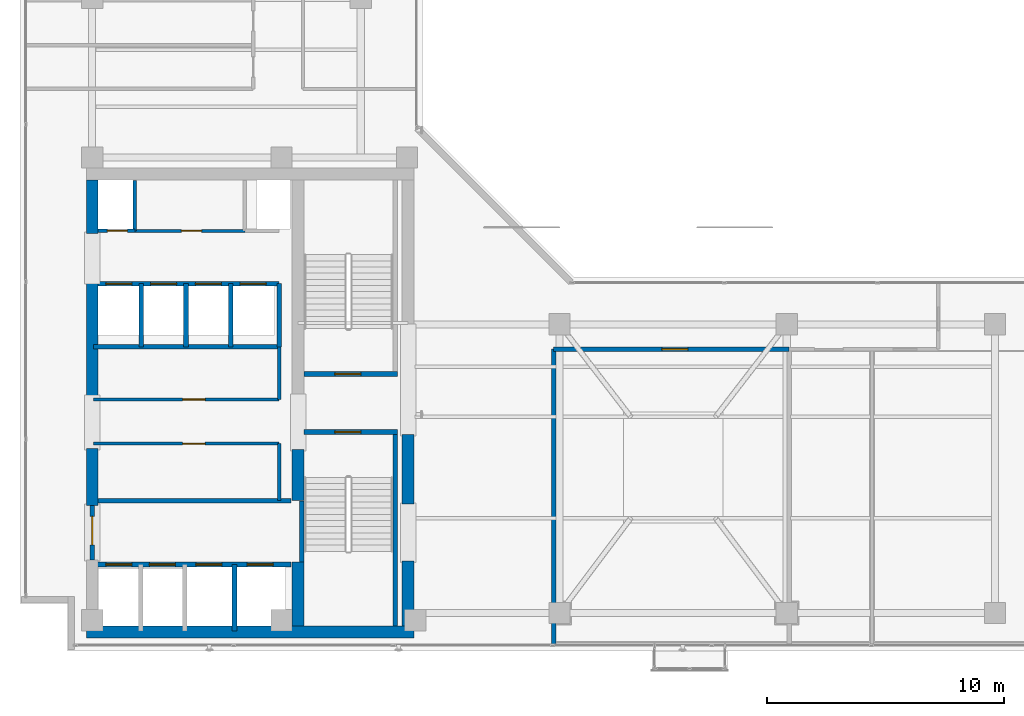
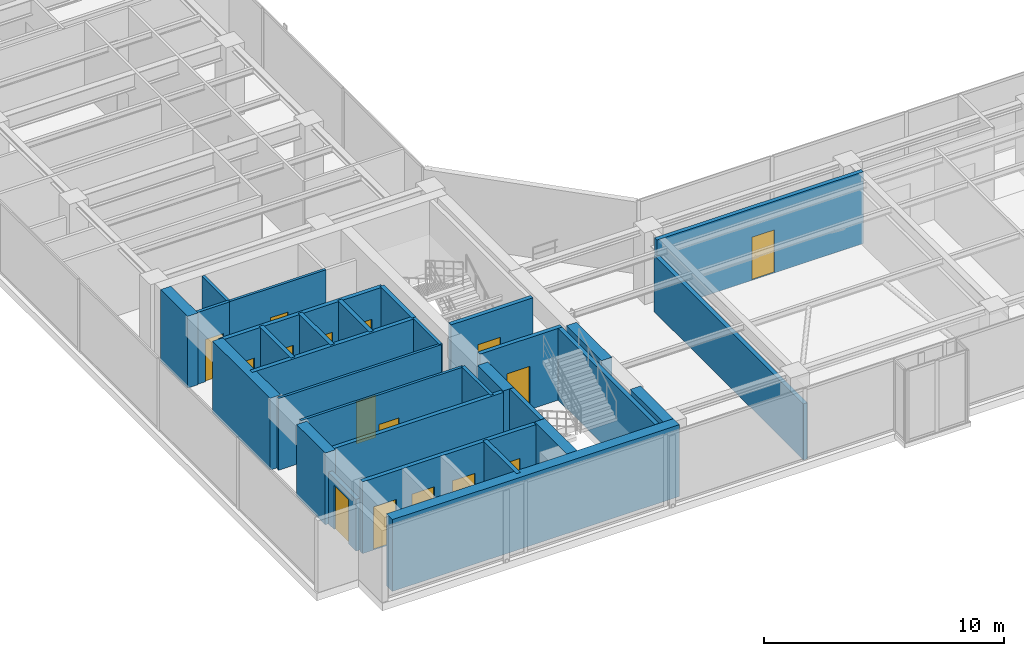
# One storey, part 24 of 31: 31 walls, 16 doors, 16 openings.
"""IFC4 building model written with IfcOpenShell, lengths in metres."""

from ifc_helpers import new_model, si_unit, direction, frame, frame_2d, origin, place, context, subcontext, project, spatial, rectangle, extrude, material, layer, layer_set, type_object, element, fill, save


model = new_model("IFC4")

# Units and contexts
model_context = context("Model", 3, precision=1e-05, world=origin(), true_north=direction((0.0, 1.0)))
body_context = subcontext(model_context, "Body", "Model", "MODEL_VIEW")
ifc_project = project(units=[si_unit("LENGTHUNIT", "METRE"), si_unit("AREAUNIT", "SQUARE_METRE"), si_unit("VOLUMEUNIT", "CUBIC_METRE"), si_unit("PLANEANGLEUNIT", "RADIAN"), si_unit("MASSUNIT", "GRAM", prefix="KILO")], contexts=[model_context])

# Site, building, storey
site_placement = place(None, origin())
site = spatial("IfcSite", under=ifc_project, at=site_placement, CompositionType="ELEMENT")
building_placement = place(site_placement, origin())
building = spatial("IfcBuilding", under=site, at=building_placement, Name="Kolvaren Waterfront Exchange", CompositionType="ELEMENT")
storey_placement = place(building_placement, frame((0.0, 0.0, 344.199951171875)))
storey = spatial("IfcBuildingStorey", under=building, at=storey_placement, Name="L88", CompositionType="ELEMENT", Elevation=344.199951171875)

# Wall, opening, door
ifc_material_1 = material(Name="Precast concrete C40/50", Category="concrete")
ifc_layer_1 = layer(ifc_material_1, 0.199951171875, Name="Precast concrete C40/50")
ifc_layer_set_1 = layer_set([ifc_layer_1], Name="Precast concrete C40/50")
wall_type_1 = type_object("IfcWallType", Name="ARC-FIRE-200", PredefinedType="PARTITIONING", material=ifc_layer_set_1)
wall_1_placement = place(storey_placement, frame((16.39990234375, 12.85009765625, 0.0), z_axis=(0.0, 0.0, 1.0), x_axis=(1.0, 0.0, 0.0)))
wall_1 = element("IfcWall", 1, at=wall_1_placement, inside=storey, type_object=wall_type_1, Name="L88 interior wall PW-L88-ST1-THROAT-S", PredefinedType="PARTITIONING", context=body_context, shape_type="SweptSolid", body=[
    extrude(rectangle(XDim=3.960205078125, YDim=0.199951171875, at=frame_2d((1.97998046875, 0.0))), origin(), (0.0, 0.0, 1.0), 3.66015625),
])
opening_1_placement = place(wall_1_placement, frame((1.3037109375, 0.0, 0.0)))
opening_1 = element("IfcOpeningElement", 2, at=opening_1_placement, cuts=wall_1, Name="Opening FD2", PredefinedType="OPENING", context=body_context, shape_type="SweptSolid", body=[
    extrude(rectangle(XDim=1.10009765625, YDim=2.199951171875, at=frame_2d((0.550048828125, 1.10009765625))), frame((0.0, 0.10986328125, 0.0), z_axis=(0.0, -1.0, 0.0), x_axis=(1.0, 0.0, 0.0)), (0.0, 0.0, 1.0), 0.219970703125),
])
ifc_material_2 = material(Name="Pressed steel smoke-seal fire door", Category="steel")
door_type_1 = type_object("IfcDoorType", Name="ARC-FD-1100", OperationType="NOTDEFINED", PredefinedType="DOOR", material=ifc_material_2)
door_1_placement = place(opening_1_placement, frame((1.10009765625, 0.0, 0.0), z_axis=(0.0, 0.0, 1.0), x_axis=(-1.0, 0.0, 0.0)))
door_1 = element("IfcDoor", 3, at=door_1_placement, inside=storey, type_object=door_type_1, Name="L88 door DR-L88-ST1-IN (FD2)", OperationType="SINGLE_SWING_LEFT", OverallHeight=2.199951171875, OverallWidth=1.10009765625, PredefinedType="DOOR", context=body_context, shape_type="SweptSolid", body=[
    extrude(rectangle(XDim=1.10009765625, YDim=2.199951171875, at=frame_2d((0.550048828125, 1.10009765625))), frame((0.0, 0.02490234375, 0.0), z_axis=(0.0, -1.0, 0.0), x_axis=(1.0, 0.0, 0.0)), (0.0, 0.0, 1.0), 0.050048828125),
])
fill(opening_1, door_1)

wall_2_placement = place(storey_placement, frame((16.409912109375, 15.300048828125, 0.0), z_axis=(0.0, 0.0, 1.0), x_axis=(1.0, 0.0, 0.0)))
wall_2 = element("IfcWall", 4, at=wall_2_placement, inside=storey, type_object=wall_type_1, Name="L88 interior wall PW-L88-ST2-THROAT-N", PredefinedType="PARTITIONING", context=body_context, shape_type="SweptSolid", body=[
    extrude(rectangle(XDim=3.9501953125, YDim=0.199951171875, at=frame_2d((1.97509765625, 0.0))), origin(), (0.0, 0.0, 1.0), 3.66015625),
])
opening_2_placement = place(wall_2_placement, frame((1.293701171875, 0.0, 0.0)))
opening_2 = element("IfcOpeningElement", 5, at=opening_2_placement, cuts=wall_2, Name="Opening FD2", PredefinedType="OPENING", context=body_context, shape_type="SweptSolid", body=[
    extrude(rectangle(XDim=1.10009765625, YDim=2.199951171875, at=frame_2d((0.550048828125, 1.10009765625))), frame((0.0, 0.10986328125, 0.0), z_axis=(0.0, -1.0, 0.0), x_axis=(1.0, 0.0, 0.0)), (0.0, 0.0, 1.0), 0.219970703125),
])
door_2_placement = place(opening_2_placement, origin())
door_2 = element("IfcDoor", 6, at=door_2_placement, inside=storey, type_object=door_type_1, Name="L88 door DR-L88-ST2-IN (FD2)", OperationType="SINGLE_SWING_RIGHT", OverallHeight=2.199951171875, OverallWidth=1.10009765625, PredefinedType="DOOR", context=body_context, shape_type="SweptSolid", body=[
    extrude(rectangle(XDim=1.10009765625, YDim=2.199951171875, at=frame_2d((0.550048828125, 1.10009765625))), frame((0.0, 0.02490234375, 0.0), z_axis=(0.0, -1.0, 0.0), x_axis=(1.0, 0.0, 0.0)), (0.0, 0.0, 1.0), 0.050048828125),
])
fill(opening_2, door_2)

# Wall
wall_3_placement = place(storey_placement, frame((7.5, 9.949951171875, 0.0), z_axis=(0.0, 0.0, 1.0), x_axis=(1.0, 0.0, 0.0)))
element("IfcWall", 7, at=wall_3_placement, inside=storey, type_object=wall_type_1, Name="L88 interior wall PW-L88-FF-N", PredefinedType="PARTITIONING", context=body_context, shape_type="SweptSolid", body=[
    extrude(rectangle(XDim=8.35009765625, YDim=0.199951171875, at=frame_2d((4.175048828125, 0.0))), origin(), (0.0, 0.0, 1.0), 3.66015625),
])

# Wall, opening, door
wall_4_placement = place(storey_placement, frame((7.449951171875, 7.449951171875, 0.0), z_axis=(0.0, 0.0, 1.0), x_axis=(0.0, 1.0, 0.0)))
wall_4 = element("IfcWall", 8, at=wall_4_placement, inside=storey, type_object=wall_type_1, Name="L88 interior wall PW-L88-FF-W-DOOR", PredefinedType="PARTITIONING", context=body_context, shape_type="SweptSolid", body=[
    extrude(rectangle(XDim=2.300048828125, YDim=0.199951171875, at=frame_2d((1.14990234375, 0.0))), origin(), (0.0, 0.0, 1.0), 2.64013671875),
])
opening_3_placement = place(wall_4_placement, frame((0.63330078125, 0.0, 0.0)))
opening_3 = element("IfcOpeningElement", 9, at=opening_3_placement, cuts=wall_4, Name="Opening FD3", PredefinedType="OPENING", context=body_context, shape_type="SweptSolid", body=[
    extrude(rectangle(XDim=1.199951171875, YDim=2.25, at=frame_2d((0.60009765625, 1.125))), frame((0.0, 0.10986328125, 0.0), z_axis=(0.0, -1.0, 0.0), x_axis=(1.0, 0.0, 0.0)), (0.0, 0.0, 1.0), 0.219970703125),
])
ifc_material_3 = material(Name="Pressed steel fire door", Category="steel")
door_type_2 = type_object("IfcDoorType", Name="ARC-FD-1200", OperationType="NOTDEFINED", PredefinedType="DOOR", material=ifc_material_3)
door_3_placement = place(opening_3_placement, frame((1.199951171875, 0.0, 0.0), z_axis=(0.0, 0.0, 1.0), x_axis=(-1.0, 0.0, 0.0)))
door_3 = element("IfcDoor", 10, at=door_3_placement, inside=storey, type_object=door_type_2, Name="L88 door DR-L88-FF-OUT (FD3)", OperationType="SINGLE_SWING_LEFT", OverallHeight=2.25, OverallWidth=1.199951171875, PredefinedType="DOOR", context=body_context, shape_type="SweptSolid", body=[
    extrude(rectangle(XDim=1.199951171875, YDim=2.25, at=frame_2d((0.60009765625, 1.125))), frame((0.0, 0.02490234375, 0.0), z_axis=(0.0, -1.0, 0.0), x_axis=(1.0, 0.0, 0.0)), (0.0, 0.0, 1.0), 0.050048828125),
])
fill(opening_3, door_3)

# Wall
wall_5_placement = place(storey_placement, frame((26.949951171875, 3.85009765625, 0.0), z_axis=(0.0, 0.0, 1.0), x_axis=(0.0, 1.0, 0.0)))
element("IfcWall", 11, at=wall_5_placement, inside=storey, type_object=wall_type_1, Name="L88 interior wall PW-L88-TMD-W", PredefinedType="PARTITIONING", context=body_context, shape_type="SweptSolid", body=[
    extrude(rectangle(XDim=12.5, YDim=0.199951171875, at=frame_2d((6.25, 0.0))), origin(), (0.0, 0.0, 1.0), 2.860107421875),
])

# Wall, opening, door
wall_6_placement = place(storey_placement, frame((26.949951171875, 16.35009765625, 0.0), z_axis=(0.0, 0.0, 1.0), x_axis=(1.0, 0.0, 0.0)))
wall_6 = element("IfcWall", 12, at=wall_6_placement, inside=storey, type_object=wall_type_1, Name="L88 interior wall PW-L88-TMD-N", PredefinedType="PARTITIONING", context=body_context, shape_type="SweptSolid", body=[
    extrude(rectangle(XDim=9.949951171875, YDim=0.199951171875, at=frame_2d((4.97509765625, 0.0))), origin(), (0.0, 0.0, 1.0), 3.66015625),
])
opening_4_placement = place(wall_6_placement, frame((4.570068359375, 0.0, 0.0)))
opening_4 = element("IfcOpeningElement", 13, at=opening_4_placement, cuts=wall_6, Name="Opening FD2", PredefinedType="OPENING", context=body_context, shape_type="SweptSolid", body=[
    extrude(rectangle(XDim=1.10009765625, YDim=2.199951171875, at=frame_2d((0.550048828125, 1.10009765625))), frame((0.0, 0.10986328125, 0.0), z_axis=(0.0, -1.0, 0.0), x_axis=(1.0, 0.0, 0.0)), (0.0, 0.0, 1.0), 0.219970703125),
])
door_4_placement = place(opening_4_placement, origin())
door_4 = element("IfcDoor", 14, at=door_4_placement, inside=storey, type_object=door_type_1, Name="L88 door DR-L88-TMD-D (FD2)", OperationType="SINGLE_SWING_RIGHT", OverallHeight=2.199951171875, OverallWidth=1.10009765625, PredefinedType="DOOR", context=body_context, shape_type="SweptSolid", body=[
    extrude(rectangle(XDim=1.10009765625, YDim=2.199951171875, at=frame_2d((0.550048828125, 1.10009765625))), frame((0.0, 0.02490234375, 0.0), z_axis=(0.0, -1.0, 0.0), x_axis=(1.0, 0.0, 0.0)), (0.0, 0.0, 1.0), 0.050048828125),
])
fill(opening_4, door_4)

ifc_material_4 = material(Name="Acoustic gypsum steel stud", Category="steel")
ifc_layer_2 = layer(ifc_material_4, 0.125, Name="Acoustic gypsum steel stud")
ifc_layer_set_2 = layer_set([ifc_layer_2], Name="Acoustic gypsum steel stud")
wall_type_2 = type_object("IfcWallType", Name="ARC-PART-125", PredefinedType="PARTITIONING", material=ifc_layer_set_2)
wall_7_placement = place(storey_placement, frame((7.5, 12.360107421875, 0.0), z_axis=(0.0, 0.0, 1.0), x_axis=(1.0, 0.0, 0.0)))
wall_7 = element("IfcWall", 15, at=wall_7_placement, inside=storey, type_object=wall_type_2, Name="L88 interior wall PW-L88-REC-HI-S", PredefinedType="PARTITIONING", context=body_context, shape_type="SweptSolid", body=[
    extrude(rectangle(XDim=7.85009765625, YDim=0.125, at=frame_2d((3.925048828125, 0.0))), origin(), (0.0, 0.0, 1.0), 3.66015625),
])
opening_5_placement = place(wall_7_placement, frame((3.77490234375, 0.0, 0.0)))
opening_5 = element("IfcOpeningElement", 16, at=opening_5_placement, cuts=wall_7, Name="Opening D02", PredefinedType="OPENING", context=body_context, shape_type="SweptSolid", body=[
    extrude(rectangle(XDim=0.949951171875, YDim=2.14990234375, at=frame_2d((0.47509765625, 1.074951171875))), frame((0.0, 0.072509765625, 0.0), z_axis=(0.0, -1.0, 0.0), x_axis=(1.0, 0.0, 0.0)), (0.0, 0.0, 1.0), 0.14501953125),
])
ifc_material_5 = material(Name="Oak veneer acoustic timber", Category="wood")
door_type_3 = type_object("IfcDoorType", Name="ARC-DR-950", OperationType="NOTDEFINED", PredefinedType="DOOR", material=ifc_material_5)
door_5_placement = place(opening_5_placement, origin())
door_5 = element("IfcDoor", 17, at=door_5_placement, inside=storey, type_object=door_type_3, Name="L88 door DR-L88-REC-HI-D1 (D02)", OperationType="SINGLE_SWING_RIGHT", OverallHeight=2.14990234375, OverallWidth=0.949951171875, PredefinedType="DOOR", context=body_context, shape_type="SweptSolid", body=[
    extrude(rectangle(XDim=0.949951171875, YDim=2.14990234375, at=frame_2d((0.47509765625, 1.074951171875))), frame((0.0, 0.02490234375, 0.0), z_axis=(0.0, -1.0, 0.0), x_axis=(1.0, 0.0, 0.0)), (0.0, 0.0, 1.0), 0.050048828125),
])
fill(opening_5, door_5)

wall_8_placement = place(storey_placement, frame((7.5, 14.219970703125, 0.0), z_axis=(0.0, 0.0, 1.0), x_axis=(1.0, 0.0, 0.0)))
wall_8 = element("IfcWall", 18, at=wall_8_placement, inside=storey, type_object=wall_type_2, Name="L88 interior wall PW-L88-REC-HI-N", PredefinedType="PARTITIONING", context=body_context, shape_type="SweptSolid", body=[
    extrude(rectangle(XDim=7.85009765625, YDim=0.125, at=frame_2d((3.925048828125, 0.0))), origin(), (0.0, 0.0, 1.0), 3.66015625),
])
opening_6_placement = place(wall_8_placement, frame((3.77490234375, 0.0, 0.0)))
opening_6 = element("IfcOpeningElement", 19, at=opening_6_placement, cuts=wall_8, Name="Opening D02", PredefinedType="OPENING", context=body_context, shape_type="SweptSolid", body=[
    extrude(rectangle(XDim=0.949951171875, YDim=2.14990234375, at=frame_2d((0.47509765625, 1.074951171875))), frame((0.0, 0.072509765625, 0.0), z_axis=(0.0, -1.0, 0.0), x_axis=(1.0, 0.0, 0.0)), (0.0, 0.0, 1.0), 0.14501953125),
])
door_6_placement = place(opening_6_placement, origin())
door_6 = element("IfcDoor", 20, at=door_6_placement, inside=storey, type_object=door_type_3, Name="L88 door DR-L88-REC-HI-D2 (D02)", OperationType="SINGLE_SWING_LEFT", OverallHeight=2.14990234375, OverallWidth=0.949951171875, PredefinedType="DOOR", context=body_context, shape_type="SweptSolid", body=[
    extrude(rectangle(XDim=0.949951171875, YDim=2.14990234375, at=frame_2d((0.47509765625, 1.074951171875))), frame((0.0, 0.02490234375, 0.0), z_axis=(0.0, -1.0, 0.0), x_axis=(1.0, 0.0, 0.0)), (0.0, 0.0, 1.0), 0.050048828125),
])
fill(opening_6, door_6)

wall_9_placement = place(storey_placement, frame((9.25, 21.35009765625, 0.0), z_axis=(0.0, 0.0, 1.0), x_axis=(1.0, 0.0, 0.0)))
wall_9 = element("IfcWall", 21, at=wall_9_placement, inside=storey, type_object=wall_type_2, Name="L88 interior wall PW-L88-SVC-HI-S", PredefinedType="PARTITIONING", context=body_context, shape_type="SweptSolid", body=[
    extrude(rectangle(XDim=4.64990234375, YDim=0.125, at=frame_2d((2.324951171875, 0.0))), origin(), (0.0, 0.0, 1.0), 3.66015625),
])
opening_7_placement = place(wall_9_placement, frame((1.971435546875, 0.0, 0.0)))
opening_7 = element("IfcOpeningElement", 22, at=opening_7_placement, cuts=wall_9, Name="Opening D01", PredefinedType="OPENING", context=body_context, shape_type="SweptSolid", body=[
    extrude(rectangle(XDim=0.85009765625, YDim=2.14990234375, at=frame_2d((0.425048828125, 1.074951171875))), frame((0.0, 0.072509765625, 0.0), z_axis=(0.0, -1.0, 0.0), x_axis=(1.0, 0.0, 0.0)), (0.0, 0.0, 1.0), 0.14501953125),
])
ifc_material_6 = material(Name="Oak veneer timber leaf", Category="wood")
door_type_4 = type_object("IfcDoorType", Name="ARC-DR-900", OperationType="NOTDEFINED", PredefinedType="DOOR", material=ifc_material_6)
door_7_placement = place(opening_7_placement, origin())
door_7 = element("IfcDoor", 23, at=door_7_placement, inside=storey, type_object=door_type_4, Name="L88 door DR-L88-SVC-DR-1 (D01)", OperationType="SINGLE_SWING_LEFT", OverallHeight=2.14990234375, OverallWidth=0.85009765625, PredefinedType="DOOR", context=body_context, shape_type="SweptSolid", body=[
    extrude(rectangle(XDim=0.85009765625, YDim=2.14990234375, at=frame_2d((0.425048828125, 1.074951171875))), frame((0.0, 0.02490234375, 0.0), z_axis=(0.0, -1.0, 0.0), x_axis=(1.0, 0.0, 0.0)), (0.0, 0.0, 1.0), 0.050048828125),
])
fill(opening_7, door_7)

# Walls
ifc_material_7 = material(Name="Gypsum fireboard steel stud", Category="steel")
ifc_layer_3 = layer(ifc_material_7, 0.14990234375, Name="Gypsum fireboard steel stud")
ifc_layer_set_3 = layer_set([ifc_layer_3], Name="Gypsum fireboard steel stud")
wall_type_3 = type_object("IfcWallType", Name="ARC-PART-150", PredefinedType="PARTITIONING", material=ifc_layer_set_3)
wall_10_placement = place(storey_placement, frame((15.35009765625, 9.949951171875, 0.0), z_axis=(0.0, 0.0, 1.0), x_axis=(0.0, 1.0, 0.0)))
element("IfcWall", 24, at=wall_10_placement, inside=storey, type_object=wall_type_3, Name="L88 interior wall PW-L88-REC-HI-E1", PredefinedType="PARTITIONING", context=body_context, shape_type="SweptSolid", body=[
    extrude(rectangle(XDim=2.41015625, YDim=0.14990234375, at=frame_2d((1.205078125, 0.0))), origin(), (0.0, 0.0, 1.0), 3.66015625),
])
wall_11_placement = place(storey_placement, frame((15.35009765625, 14.219970703125, 0.0), z_axis=(0.0, 0.0, 1.0), x_axis=(0.0, 1.0, 0.0)))
element("IfcWall", 25, at=wall_11_placement, inside=storey, type_object=wall_type_3, Name="L88 interior wall PW-L88-REC-HI-E2", PredefinedType="PARTITIONING", context=body_context, shape_type="SweptSolid", body=[
    extrude(rectangle(XDim=2.22998046875, YDim=0.14990234375, at=frame_2d((1.114990234375, 0.0))), origin(), (0.0, 0.0, 1.0), 3.66015625),
])
wall_12_placement = place(storey_placement, frame((9.25, 21.35009765625, 0.0), z_axis=(0.0, 0.0, 1.0), x_axis=(0.0, 1.0, 0.0)))
element("IfcWall", 26, at=wall_12_placement, inside=storey, type_object=wall_type_3, Name="L88 interior wall PW-L88-SVC-R1", PredefinedType="PARTITIONING", context=body_context, shape_type="SweptSolid", body=[
    extrude(rectangle(XDim=2.1298828125, YDim=0.14990234375, at=frame_2d((1.06494140625, 0.0))), origin(), (0.0, 0.0, 1.0), 3.66015625),
])

# Wall, opening, door
wall_13_placement = place(storey_placement, frame((7.699951171875, 21.35009765625, 0.0), z_axis=(0.0, 0.0, 1.0), x_axis=(1.0, 0.0, 0.0)))
wall_13 = element("IfcWall", 27, at=wall_13_placement, inside=storey, type_object=wall_type_3, Name="L88 interior wall PW-L88-SVC-RE-S", PredefinedType="PARTITIONING", context=body_context, shape_type="SweptSolid", body=[
    extrude(rectangle(XDim=1.550048828125, YDim=0.14990234375, at=frame_2d((0.77490234375, 0.0))), origin(), (0.0, 0.0, 1.0), 3.66015625),
])
opening_8_placement = place(wall_13_placement, frame((0.389892578125, 0.0, 0.0)))
opening_8 = element("IfcOpeningElement", 28, at=opening_8_placement, cuts=wall_13, Name="Opening FD1", PredefinedType="OPENING", context=body_context, shape_type="SweptSolid", body=[
    extrude(rectangle(XDim=0.85009765625, YDim=2.14990234375, at=frame_2d((0.425048828125, 1.074951171875))), frame((0.0, 0.0849609375, 0.0), z_axis=(0.0, -1.0, 0.0), x_axis=(1.0, 0.0, 0.0)), (0.0, 0.0, 1.0), 0.169921875),
])
ifc_material_8 = material(Name="Pressed steel fire leaf", Category="steel")
door_type_5 = type_object("IfcDoorType", Name="ARC-FD-900", OperationType="NOTDEFINED", PredefinedType="DOOR", material=ifc_material_8)
door_8_placement = place(opening_8_placement, origin())
door_8 = element("IfcDoor", 29, at=door_8_placement, inside=storey, type_object=door_type_5, Name="L88 door DR-L88-RISER-E-DR (FD1)", OperationType="SINGLE_SWING_RIGHT", OverallHeight=2.14990234375, OverallWidth=0.85009765625, PredefinedType="DOOR", context=body_context, shape_type="SweptSolid", body=[
    extrude(rectangle(XDim=0.85009765625, YDim=2.14990234375, at=frame_2d((0.425048828125, 1.074951171875))), frame((0.0, 0.02490234375, 0.0), z_axis=(0.0, -1.0, 0.0), x_axis=(1.0, 0.0, 0.0)), (0.0, 0.0, 1.0), 0.050048828125),
])
fill(opening_8, door_8)

# Walls
ifc_material_9 = material(Name="Concrete C40/50", Category="concrete")
ifc_layer_4 = layer(ifc_material_9, 0.199951171875, Name="Concrete C40/50")
ifc_layer_set_4 = layer_set([ifc_layer_4], Name="Concrete C40/50")
wall_type_4 = type_object("IfcWallType", Name="ARC-SHAFT-200", PredefinedType="PARTITIONING", material=ifc_layer_set_4)
wall_14_placement = place(storey_placement, frame((16.300048828125, 7.360107421875, 0.0), z_axis=(0.0, 0.0, 1.0), x_axis=(0.0, 1.0, 0.0)))
element("IfcWall", 30, at=wall_14_placement, inside=storey, type_object=wall_type_4, Name="L88 structural stairwell wall PW-L88-ST1-W", PredefinedType="SHEAR", context=body_context, shape_type="SweptSolid", body=[
    extrude(rectangle(XDim=2.579833984375, YDim=0.199951171875, at=frame_2d((1.2900390625, 0.0))), origin(), (0.0, 0.0, 1.0), 3.66015625),
])
wall_15_placement = place(storey_placement, frame((20.260009765625, 4.659912109375, 0.0), z_axis=(0.0, 0.0, 1.0), x_axis=(0.0, 1.0, 0.0)))
element("IfcWall", 31, at=wall_15_placement, inside=storey, type_object=wall_type_4, Name="L88 structural stairwell wall PW-L88-ST1-E", PredefinedType="SHEAR", context=body_context, shape_type="SweptSolid", body=[
    extrude(rectangle(XDim=8.090087890625, YDim=0.199951171875, at=frame_2d((4.044921875, 0.0))), origin(), (0.0, 0.0, 1.0), 3.66015625),
])

# Wall, openings, doors
wall_16_placement = place(storey_placement, frame((7.5, 7.25, 0.0), z_axis=(0.0, 0.0, 1.0), x_axis=(1.0, 0.0, 0.0)))
wall_16 = element("IfcWall", 32, at=wall_16_placement, inside=storey, type_object=wall_type_4, Name="L88 interior wall PW-L88-FF-S", PredefinedType="PARTITIONING", context=body_context, shape_type="SweptSolid", body=[
    extrude(rectangle(XDim=8.35009765625, YDim=0.199951171875, at=frame_2d((4.175048828125, 0.0))), origin(), (0.0, 0.0, 1.0), 3.66015625),
])
opening_9_placement = place(wall_16_placement, frame((0.530029296875, 0.0, 0.0)))
opening_9 = element("IfcOpeningElement", 33, at=opening_9_placement, cuts=wall_16, Name="Opening LD1", PredefinedType="OPENING", context=body_context, shape_type="SweptSolid", body=[
    extrude(rectangle(XDim=1.10009765625, YDim=2.199951171875, at=frame_2d((0.550048828125, 1.10009765625))), frame((0.0, 0.10986328125, 0.0), z_axis=(0.0, -1.0, 0.0), x_axis=(1.0, 0.0, 0.0)), (0.0, 0.0, 1.0), 0.219970703125),
])
opening_10_placement = place(wall_16_placement, frame((2.3701171875, 0.0, 0.0)))
opening_10 = element("IfcOpeningElement", 34, at=opening_10_placement, cuts=wall_16, Name="Opening LD1", PredefinedType="OPENING", context=body_context, shape_type="SweptSolid", body=[
    extrude(rectangle(XDim=1.10009765625, YDim=2.199951171875, at=frame_2d((0.550048828125, 1.10009765625))), frame((0.0, 0.10986328125, 0.0), z_axis=(0.0, -1.0, 0.0), x_axis=(1.0, 0.0, 0.0)), (0.0, 0.0, 1.0), 0.219970703125),
])
opening_11_placement = place(wall_16_placement, frame((4.330078125, 0.0, 0.0)))
opening_11 = element("IfcOpeningElement", 35, at=opening_11_placement, cuts=wall_16, Name="Opening LD1", PredefinedType="OPENING", context=body_context, shape_type="SweptSolid", body=[
    extrude(rectangle(XDim=1.10009765625, YDim=2.199951171875, at=frame_2d((0.550048828125, 1.10009765625))), frame((0.0, 0.10986328125, 0.0), z_axis=(0.0, -1.0, 0.0), x_axis=(1.0, 0.0, 0.0)), (0.0, 0.0, 1.0), 0.219970703125),
])
opening_12_placement = place(wall_16_placement, frame((6.5, 0.0, 0.0)))
opening_12 = element("IfcOpeningElement", 36, at=opening_12_placement, cuts=wall_16, Name="Opening LD1", PredefinedType="OPENING", context=body_context, shape_type="SweptSolid", body=[
    extrude(rectangle(XDim=1.10009765625, YDim=2.199951171875, at=frame_2d((0.550048828125, 1.10009765625))), frame((0.0, 0.10986328125, 0.0), z_axis=(0.0, -1.0, 0.0), x_axis=(1.0, 0.0, 0.0)), (0.0, 0.0, 1.0), 0.219970703125),
])
ifc_material_10 = material(Name="Stainless steel sliding landing door", Category="steel")
door_type_6 = type_object("IfcDoorType", Name="ARC-LD-FF", OperationType="SLIDING_TO_LEFT", PredefinedType="DOOR", material=ifc_material_10)
door_9_placement = place(opening_9_placement, origin())
door_9 = element("IfcDoor", 37, at=door_9_placement, inside=storey, type_object=door_type_6, Name="L88 door LD-L88-FFL1 (LD1)", OperationType="SLIDING_TO_LEFT", OverallHeight=2.199951171875, OverallWidth=1.10009765625, PredefinedType="DOOR", context=body_context, shape_type="SweptSolid", body=[
    extrude(rectangle(XDim=1.10009765625, YDim=2.199951171875, at=frame_2d((0.550048828125, 1.10009765625))), frame((0.0, 0.02490234375, 0.0), z_axis=(0.0, -1.0, 0.0), x_axis=(1.0, 0.0, 0.0)), (0.0, 0.0, 1.0), 0.050048828125),
])
fill(opening_9, door_9)
door_10_placement = place(opening_10_placement, origin())
door_10 = element("IfcDoor", 38, at=door_10_placement, inside=storey, type_object=door_type_6, Name="L88 door LD-L88-FFL2 (LD1)", OperationType="SLIDING_TO_LEFT", OverallHeight=2.199951171875, OverallWidth=1.10009765625, PredefinedType="DOOR", context=body_context, shape_type="SweptSolid", body=[
    extrude(rectangle(XDim=1.10009765625, YDim=2.199951171875, at=frame_2d((0.550048828125, 1.10009765625))), frame((0.0, 0.02490234375, 0.0), z_axis=(0.0, -1.0, 0.0), x_axis=(1.0, 0.0, 0.0)), (0.0, 0.0, 1.0), 0.050048828125),
])
fill(opening_10, door_10)
door_11_placement = place(opening_11_placement, origin())
door_11 = element("IfcDoor", 39, at=door_11_placement, inside=storey, type_object=door_type_6, Name="L88 door LD-L88-GL1 (LD1)", OperationType="SLIDING_TO_LEFT", OverallHeight=2.199951171875, OverallWidth=1.10009765625, PredefinedType="DOOR", context=body_context, shape_type="SweptSolid", body=[
    extrude(rectangle(XDim=1.10009765625, YDim=2.199951171875, at=frame_2d((0.550048828125, 1.10009765625))), frame((0.0, 0.02490234375, 0.0), z_axis=(0.0, -1.0, 0.0), x_axis=(1.0, 0.0, 0.0)), (0.0, 0.0, 1.0), 0.050048828125),
])
fill(opening_11, door_11)
door_12_placement = place(opening_12_placement, origin())
door_12 = element("IfcDoor", 40, at=door_12_placement, inside=storey, type_object=door_type_6, Name="L88 door LD-L88-GL2 (LD1)", OperationType="SLIDING_TO_LEFT", OverallHeight=2.199951171875, OverallWidth=1.10009765625, PredefinedType="DOOR", context=body_context, shape_type="SweptSolid", body=[
    extrude(rectangle(XDim=1.10009765625, YDim=2.199951171875, at=frame_2d((0.550048828125, 1.10009765625))), frame((0.0, 0.02490234375, 0.0), z_axis=(0.0, -1.0, 0.0), x_axis=(1.0, 0.0, 0.0)), (0.0, 0.0, 1.0), 0.050048828125),
])
fill(opening_12, door_12)

# Walls
wall_17_placement = place(storey_placement, frame((13.4599609375, 4.449951171875, 0.0), z_axis=(0.0, 0.0, 1.0), x_axis=(0.0, 1.0, 0.0)))
element("IfcWall", 41, at=wall_17_placement, inside=storey, type_object=wall_type_4, Name="L88 interior wall PW-L88-SH1-DIV-134", PredefinedType="PARTITIONING", context=body_context, shape_type="SweptSolid", body=[
    extrude(rectangle(XDim=2.800048828125, YDim=0.199951171875, at=frame_2d((1.39990234375, 0.0))), origin(), (0.0, 0.0, 1.0), 3.66015625),
])
wall_18_placement = place(storey_placement, frame((7.5, 16.449951171875, 0.0), z_axis=(0.0, 0.0, 1.0), x_axis=(1.0, 0.0, 0.0)))
element("IfcWall", 42, at=wall_18_placement, inside=storey, type_object=wall_type_4, Name="L88 interior wall PW-L88-REC-PM-N", PredefinedType="PARTITIONING", context=body_context, shape_type="SweptSolid", body=[
    extrude(rectangle(XDim=7.85009765625, YDim=0.199951171875, at=frame_2d((3.925048828125, 0.0))), origin(), (0.0, 0.0, 1.0), 3.66015625),
])

# Wall, openings, doors
wall_19_placement = place(storey_placement, frame((7.5, 19.1201171875, 0.0), z_axis=(0.0, 0.0, 1.0), x_axis=(1.0, 0.0, 0.0)))
wall_19 = element("IfcWall", 43, at=wall_19_placement, inside=storey, type_object=wall_type_4, Name="L88 interior wall PW-L88-PH-N", PredefinedType="PARTITIONING", context=body_context, shape_type="SweptSolid", body=[
    extrude(rectangle(XDim=7.85009765625, YDim=0.199951171875, at=frame_2d((3.925048828125, 0.0))), origin(), (0.0, 0.0, 1.0), 3.66015625),
])
opening_13_placement = place(wall_19_placement, frame((0.530029296875, 0.0, 0.0)))
opening_13 = element("IfcOpeningElement", 44, at=opening_13_placement, cuts=wall_19, Name="Opening LD2", PredefinedType="OPENING", context=body_context, shape_type="SweptSolid", body=[
    extrude(rectangle(XDim=1.10009765625, YDim=2.199951171875, at=frame_2d((0.550048828125, 1.10009765625))), frame((0.0, 0.10986328125, 0.0), z_axis=(0.0, -1.0, 0.0), x_axis=(1.0, 0.0, 0.0)), (0.0, 0.0, 1.0), 0.219970703125),
])
opening_14_placement = place(wall_19_placement, frame((2.419921875, 0.0, 0.0)))
opening_14 = element("IfcOpeningElement", 45, at=opening_14_placement, cuts=wall_19, Name="Opening LD2", PredefinedType="OPENING", context=body_context, shape_type="SweptSolid", body=[
    extrude(rectangle(XDim=1.10009765625, YDim=2.199951171875, at=frame_2d((0.550048828125, 1.10009765625))), frame((0.0, 0.10986328125, 0.0), z_axis=(0.0, -1.0, 0.0), x_axis=(1.0, 0.0, 0.0)), (0.0, 0.0, 1.0), 0.219970703125),
])
opening_15_placement = place(wall_19_placement, frame((4.31005859375, 0.0, 0.0)))
opening_15 = element("IfcOpeningElement", 46, at=opening_15_placement, cuts=wall_19, Name="Opening LD2", PredefinedType="OPENING", context=body_context, shape_type="SweptSolid", body=[
    extrude(rectangle(XDim=1.10009765625, YDim=2.199951171875, at=frame_2d((0.550048828125, 1.10009765625))), frame((0.0, 0.10986328125, 0.0), z_axis=(0.0, -1.0, 0.0), x_axis=(1.0, 0.0, 0.0)), (0.0, 0.0, 1.0), 0.219970703125),
])
opening_16_placement = place(wall_19_placement, frame((6.199951171875, 0.0, 0.0)))
opening_16 = element("IfcOpeningElement", 47, at=opening_16_placement, cuts=wall_19, Name="Opening LD2", PredefinedType="OPENING", context=body_context, shape_type="SweptSolid", body=[
    extrude(rectangle(XDim=1.10009765625, YDim=2.199951171875, at=frame_2d((0.550048828125, 1.10009765625))), frame((0.0, 0.10986328125, 0.0), z_axis=(0.0, -1.0, 0.0), x_axis=(1.0, 0.0, 0.0)), (0.0, 0.0, 1.0), 0.219970703125),
])
ifc_material_11 = material(Name="Brushed bronze sliding landing door", Category="aluminium")
door_type_7 = type_object("IfcDoorType", Name="ARC-LD-PAX", OperationType="SLIDING_TO_LEFT", PredefinedType="DOOR", material=ifc_material_11)
door_13_placement = place(opening_13_placement, origin())
door_13 = element("IfcDoor", 48, at=door_13_placement, inside=storey, type_object=door_type_7, Name="L88 door LD-L88-PH1 (LD2)", OperationType="SLIDING_TO_LEFT", OverallHeight=2.199951171875, OverallWidth=1.10009765625, PredefinedType="DOOR", context=body_context, shape_type="SweptSolid", body=[
    extrude(rectangle(XDim=1.10009765625, YDim=2.199951171875, at=frame_2d((0.550048828125, 1.10009765625))), frame((0.0, 0.02490234375, 0.0), z_axis=(0.0, -1.0, 0.0), x_axis=(1.0, 0.0, 0.0)), (0.0, 0.0, 1.0), 0.050048828125),
])
fill(opening_13, door_13)
door_14_placement = place(opening_14_placement, origin())
door_14 = element("IfcDoor", 49, at=door_14_placement, inside=storey, type_object=door_type_7, Name="L88 door LD-L88-PH2 (LD2)", OperationType="SLIDING_TO_LEFT", OverallHeight=2.199951171875, OverallWidth=1.10009765625, PredefinedType="DOOR", context=body_context, shape_type="SweptSolid", body=[
    extrude(rectangle(XDim=1.10009765625, YDim=2.199951171875, at=frame_2d((0.550048828125, 1.10009765625))), frame((0.0, 0.02490234375, 0.0), z_axis=(0.0, -1.0, 0.0), x_axis=(1.0, 0.0, 0.0)), (0.0, 0.0, 1.0), 0.050048828125),
])
fill(opening_14, door_14)
door_15_placement = place(opening_15_placement, origin())
door_15 = element("IfcDoor", 50, at=door_15_placement, inside=storey, type_object=door_type_7, Name="L88 door LD-L88-PH3 (LD2)", OperationType="SLIDING_TO_LEFT", OverallHeight=2.199951171875, OverallWidth=1.10009765625, PredefinedType="DOOR", context=body_context, shape_type="SweptSolid", body=[
    extrude(rectangle(XDim=1.10009765625, YDim=2.199951171875, at=frame_2d((0.550048828125, 1.10009765625))), frame((0.0, 0.02490234375, 0.0), z_axis=(0.0, -1.0, 0.0), x_axis=(1.0, 0.0, 0.0)), (0.0, 0.0, 1.0), 0.050048828125),
])
fill(opening_15, door_15)
door_16_placement = place(opening_16_placement, origin())
door_16 = element("IfcDoor", 51, at=door_16_placement, inside=storey, type_object=door_type_7, Name="L88 door LD-L88-PH4 (LD2)", OperationType="SLIDING_TO_LEFT", OverallHeight=2.199951171875, OverallWidth=1.10009765625, PredefinedType="DOOR", context=body_context, shape_type="SweptSolid", body=[
    extrude(rectangle(XDim=1.10009765625, YDim=2.199951171875, at=frame_2d((0.550048828125, 1.10009765625))), frame((0.0, 0.02490234375, 0.0), z_axis=(0.0, -1.0, 0.0), x_axis=(1.0, 0.0, 0.0)), (0.0, 0.0, 1.0), 0.050048828125),
])
fill(opening_16, door_16)

# Walls
for number, where, z_axis, x_axis, name in (
    (52, (15.35009765625, 16.449951171875, 0.0), (0.0, 0.0, 1.0), (0.0, 1.0, 0.0), "L88 interior wall PW-L88-PH-E"),
    (53, (9.52001953125, 16.449951171875, 0.0), (0.0, 0.0, 1.0), (0.0, 1.0, 0.0), "L88 interior wall PW-L88-SH4-DIV-95"),
    (54, (11.409912109375, 16.449951171875, 0.0), (0.0, 0.0, 1.0), (0.0, 1.0, 0.0), "L88 interior wall PW-L88-SH4-DIV-114"),
    (55, (13.300048828125, 16.449951171875, 0.0), (0.0, 0.0, 1.0), (0.0, 1.0, 0.0), "L88 interior wall PW-L88-SH4-DIV-133"),
):
    element("IfcWall", number, at=place(storey_placement, frame(where, z_axis=z_axis, x_axis=x_axis)), inside=storey, type_object=wall_type_4, Name=name, PredefinedType="PARTITIONING", context=body_context, shape_type="SweptSolid", body=[
        extrude(rectangle(XDim=2.670166015625, YDim=0.199951171875, at=frame_2d((1.3349609375, 0.0))), origin(), (0.0, 0.0, 1.0), 3.66015625),
    ])
ifc_material_12 = material(Name="Concrete C50/60", Category="concrete")
ifc_layer_5 = layer(ifc_material_12, 0.5, Name="Concrete C50/60")
ifc_layer_set_5 = layer_set([ifc_layer_5], Name="Concrete C50/60")
wall_type_5 = type_object("IfcWallType", Name="STR-CWALL-500", PredefinedType="SHEAR", material=ifc_layer_set_5)
wall_20_placement = place(storey_placement, frame((7.199951171875, 4.39990234375, 0.0), z_axis=(0.0, 0.0, 1.0), x_axis=(1.0, 0.0, 0.0)))
element("IfcWall", 56, at=wall_20_placement, inside=storey, type_object=wall_type_5, Name="L88 rear-core shear wall S", PredefinedType="SHEAR", context=body_context, shape_type="SweptSolid", body=[
    extrude(rectangle(XDim=13.85009765625, YDim=0.5, at=frame_2d((6.925048828125, 0.0))), origin(), (0.0, 0.0, 1.0), 3.66015625),
])
wall_21_placement = place(storey_placement, frame((7.449951171875, 9.75, 0.0), z_axis=(0.0, 0.0, 1.0), x_axis=(0.0, 1.0, 0.0)))
element("IfcWall", 57, at=wall_21_placement, inside=storey, type_object=wall_type_5, Name="L88 rear-core shear wall W2A", PredefinedType="SHEAR", context=body_context, shape_type="SweptSolid", body=[
    extrude(rectangle(XDim=2.39990234375, YDim=0.5, at=frame_2d((1.199951171875, 0.0))), origin(), (0.0, 0.0, 1.0), 3.66015625),
])
wall_22_placement = place(storey_placement, frame((7.449951171875, 14.35009765625, 0.0), z_axis=(0.0, 0.0, 1.0), x_axis=(0.0, 1.0, 0.0)))
element("IfcWall", 58, at=wall_22_placement, inside=storey, type_object=wall_type_5, Name="L88 rear-core shear wall W2B", PredefinedType="SHEAR", context=body_context, shape_type="SweptSolid", body=[
    extrude(rectangle(XDim=4.809814453125, YDim=0.5, at=frame_2d((2.40478515625, 0.0))), origin(), (0.0, 0.0, 1.0), 3.66015625),
])
wall_23_placement = place(storey_placement, frame((7.449951171875, 21.239990234375, 0.0), z_axis=(0.0, 0.0, 1.0), x_axis=(0.0, 1.0, 0.0)))
element("IfcWall", 59, at=wall_23_placement, inside=storey, type_object=wall_type_5, Name="L88 rear-core shear wall W3", PredefinedType="SHEAR", context=body_context, shape_type="SweptSolid", body=[
    extrude(rectangle(XDim=2.260009765625, YDim=0.5, at=frame_2d((1.1298828125, 0.0))), origin(), (0.0, 0.0, 1.0), 3.66015625),
])
wall_24_placement = place(storey_placement, frame((20.800048828125, 4.64990234375, 0.0), z_axis=(0.0, 0.0, 1.0), x_axis=(0.0, 1.0, 0.0)))
element("IfcWall", 60, at=wall_24_placement, inside=storey, type_object=wall_type_5, Name="L88 rear-core shear wall E1", PredefinedType="SHEAR", context=body_context, shape_type="SweptSolid", body=[
    extrude(rectangle(XDim=2.75, YDim=0.5, at=frame_2d((1.375, 0.0))), origin(), (0.0, 0.0, 1.0), 3.66015625),
])
wall_25_placement = place(storey_placement, frame((20.800048828125, 9.800048828125, 0.0), z_axis=(0.0, 0.0, 1.0), x_axis=(0.0, 1.0, 0.0)))
element("IfcWall", 61, at=wall_25_placement, inside=storey, type_object=wall_type_5, Name="L88 rear-core shear wall E2", PredefinedType="SHEAR", context=body_context, shape_type="SweptSolid", body=[
    extrude(rectangle(XDim=2.949951171875, YDim=0.5, at=frame_2d((1.47509765625, 0.0))), origin(), (0.0, 0.0, 1.0), 3.66015625),
])
wall_26_placement = place(storey_placement, frame((16.14990234375, 4.64990234375, 0.0), z_axis=(0.0, 0.0, 1.0), x_axis=(0.0, 1.0, 0.0)))
element("IfcWall", 62, at=wall_26_placement, inside=storey, type_object=wall_type_5, Name="L88 rear-core shear wall M1", PredefinedType="SHEAR", context=body_context, shape_type="SweptSolid", body=[
    extrude(rectangle(XDim=2.7001953125, YDim=0.5, at=frame_2d((1.35009765625, 0.0))), origin(), (0.0, 0.0, 1.0), 3.66015625),
])
wall_27_placement = place(storey_placement, frame((16.14990234375, 9.949951171875, 0.0), z_axis=(0.0, 0.0, 1.0), x_axis=(0.0, 1.0, 0.0)))
element("IfcWall", 63, at=wall_27_placement, inside=storey, type_object=wall_type_5, Name="L88 rear-core shear wall M2", PredefinedType="SHEAR", context=body_context, shape_type="SweptSolid", body=[
    extrude(rectangle(XDim=2.150146484375, YDim=0.5, at=frame_2d((1.0751953125, 0.0))), origin(), (0.0, 0.0, 1.0), 3.66015625),
])

save(model, "model.ifc")
